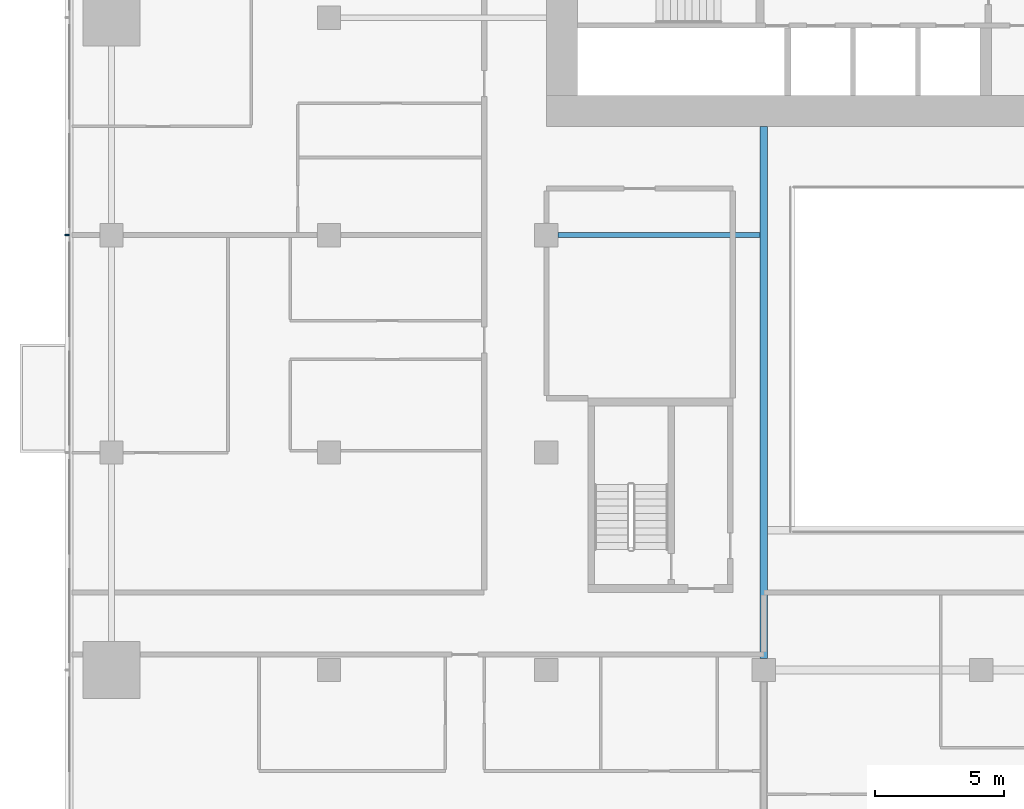
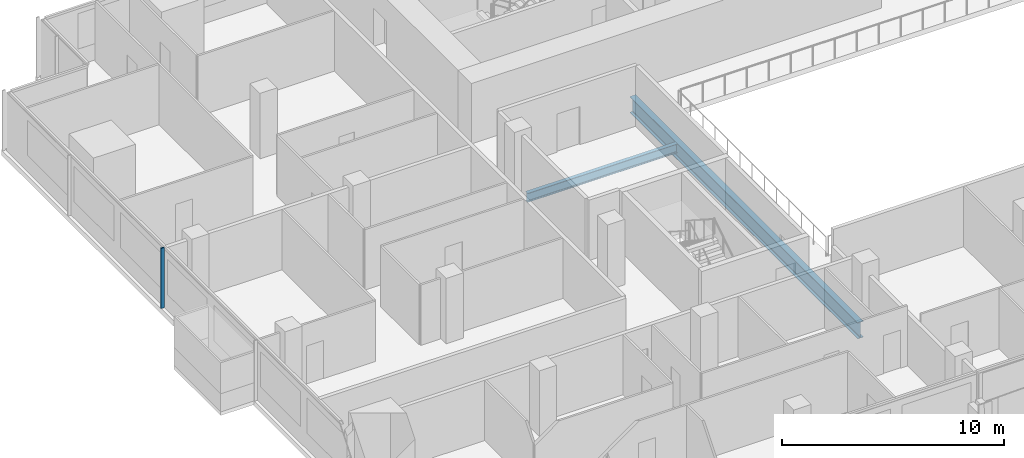
# One storey, part 4 of 26: 2 beams, 1 member, 1 element without a shape of its own.
"""IFC4 building model written with IfcOpenShell, lengths in metres."""

from ifc_helpers import new_model, si_unit, direction, frame, origin, origin_2d, place, context, subcontext, project, spatial, rectangle, i_section, extrude, material, material_profile, profile_set, type_object, element, aggregate, save


model = new_model("IFC4")

# Units and contexts
model_context = context("Model", 3, precision=1e-05, world=origin(), true_north=direction((0.0, 1.0)))
body_context = subcontext(model_context, "Body", "Model", "MODEL_VIEW")
ifc_project = project(units=[si_unit("LENGTHUNIT", "METRE"), si_unit("AREAUNIT", "SQUARE_METRE"), si_unit("VOLUMEUNIT", "CUBIC_METRE"), si_unit("PLANEANGLEUNIT", "RADIAN"), si_unit("MASSUNIT", "GRAM", prefix="KILO")], contexts=[model_context])

# Site, building, storey
site_placement = place(None, origin())
site = spatial("IfcSite", under=ifc_project, at=site_placement, CompositionType="ELEMENT")
building_placement = place(site_placement, origin())
building = spatial("IfcBuilding", under=site, at=building_placement, Name="Saffron Gate Tower", CompositionType="ELEMENT")
storey_placement = place(building_placement, frame((0.0, 0.0, 62.39990234375)))
storey = spatial("IfcBuildingStorey", under=building, at=storey_placement, Name="L14", CompositionType="ELEMENT", Elevation=62.39990234375)

# Beams
ifc_material_1 = material(Name="Structural steel S355", Category="steel")
ifc_material_profile_1 = material_profile(ifc_material_1, i_section(OverallWidth=0.199951171875, OverallDepth=0.5, WebThickness=0.01025390625, FlangeThickness=0.01611328125, FilletRadius=0.02099609375, at=origin_2d()))
ifc_profile_set_1 = profile_set([ifc_material_profile_1], Name="Structural steel S355")
beam_type_1 = type_object("IfcBeamType", Name="B10 IPE 500", PredefinedType="BEAM", material=ifc_profile_set_1)
beam_1_placement = place(storey_placement, frame((67.050048828125, 57.0, -0.52978515625), z_axis=(1.0, 0.0, 0.0), x_axis=(0.0, 1.0, 0.0)))
element("IfcBeam", 1, at=beam_1_placement, inside=storey, type_object=beam_type_1, Name="B10 CORE TIE BEAM", PredefinedType="BEAM", context=body_context, shape_type="SweptSolid", body=[
    extrude(i_section(OverallWidth=0.199951171875, OverallDepth=0.5, WebThickness=0.01025390625, FlangeThickness=0.01611328125, FilletRadius=0.02099609375, at=origin_2d()), origin(), (0.0, 0.0, 1.0), 7.800048828125),
])
ifc_material_profile_2 = material_profile(ifc_material_1, i_section(OverallWidth=0.300048828125, OverallDepth=0.889892578125, WebThickness=0.01611328125, FlangeThickness=0.030029296875, FilletRadius=0.030029296875, at=origin_2d()))
ifc_profile_set_2 = profile_set([ifc_material_profile_2], Name="Structural steel S355")
beam_type_2 = type_object("IfcBeamType", Name="B19 HEA 900", PredefinedType="BEAM", material=ifc_profile_set_2)
beam_2_placement = place(storey_placement, frame((75.0, 40.64990234375, -0.724853515625), z_axis=(0.0, 1.0, 0.0), x_axis=(-1.0, 0.0, 0.0)))
element("IfcBeam", 2, at=beam_2_placement, inside=storey, type_object=beam_type_2, Name="B19 ATRIUM GIRDER", PredefinedType="BEAM", context=body_context, shape_type="SweptSolid", body=[
    extrude(i_section(OverallWidth=0.300048828125, OverallDepth=0.889892578125, WebThickness=0.01611328125, FlangeThickness=0.030029296875, FilletRadius=0.030029296875, at=origin_2d()), origin(), (0.0, 0.0, 1.0), 20.550048828125),
])

# Curtain wall, member
ifc_material_2 = material(Name="Aluminium, bronze anodised", Category="aluminium")
curtain_wall_type = type_object("IfcCurtainWallType", Name="CWS2 curtain wall side facades", PredefinedType="NOTDEFINED", material=ifc_material_2)
curtain_wall_placement = place(storey_placement, origin())
curtain_wall = element("IfcCurtainWall", 3, at=curtain_wall_placement, inside=storey, type_object=curtain_wall_type, Name="CWS2 run 10", PredefinedType="NOTDEFINED")
ifc_material_profile_3 = material_profile(ifc_material_2, rectangle(XDim=0.159912109375, YDim=0.06005859375, at=origin_2d()))
ifc_profile_set_3 = profile_set([ifc_material_profile_3], Name="Aluminium, bronze anodised")
member_type = type_object("IfcMemberType", Name="CWS2 mullion 60x160", PredefinedType="MULLION", material=ifc_profile_set_3)
member_placement = place(storey_placement, frame((48.080078125, 57.0, 0.0), z_axis=(0.0, 0.0, 1.0), x_axis=(1.0, 0.0, 0.0)))
member = element("IfcMember", 4, at=member_placement, type_object=member_type, Name="CWS2 mullion 3", PredefinedType="MULLION", context=body_context, shape_type="SweptSolid", body=[
    extrude(rectangle(XDim=0.159912109375, YDim=0.06005859375, at=origin_2d()), origin(), (0.0, 0.0, 1.0), 3.320068359375),
])
aggregate(curtain_wall, [member])

save(model, "model.ifc")
